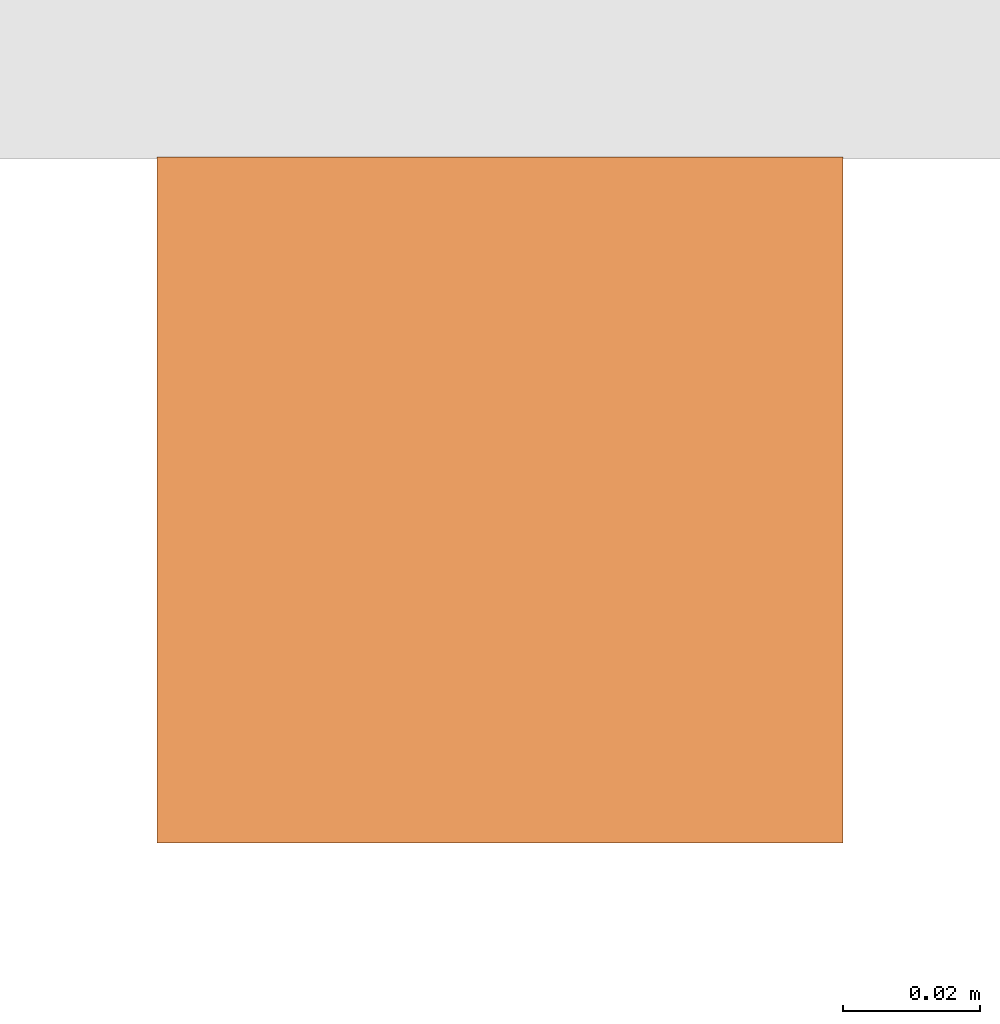
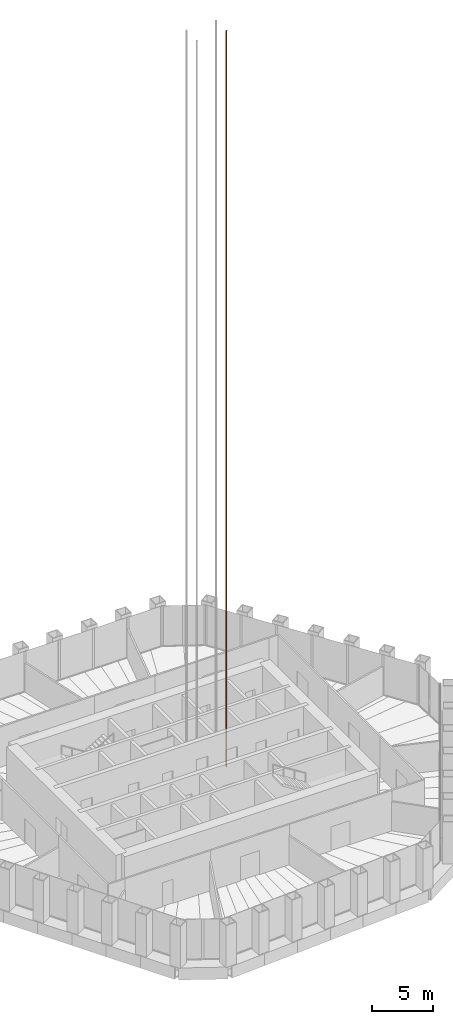
# One storey, part 17 of 19: 1 proxy.
"""IFC4 building model written with IfcOpenShell, lengths in metres."""

from ifc_helpers import new_model, si_unit, direction, frame, origin, origin_2d, place, context, subcontext, project, spatial, rectangle, extrude, material, type_object, element, save


model = new_model("IFC4")

# Units and contexts
model_context = context("Model", 3, precision=1e-05, world=origin(), true_north=direction((0.0, 1.0)))
body_context = subcontext(model_context, "Body", "Model", "MODEL_VIEW")
ifc_project = project(units=[si_unit("LENGTHUNIT", "METRE"), si_unit("AREAUNIT", "SQUARE_METRE"), si_unit("VOLUMEUNIT", "CUBIC_METRE"), si_unit("PLANEANGLEUNIT", "RADIAN"), si_unit("MASSUNIT", "GRAM", prefix="KILO")], contexts=[model_context])

# Site, building, storey
site_placement = place(None, origin())
site = spatial("IfcSite", under=ifc_project, at=site_placement, CompositionType="ELEMENT")
building_placement = place(site_placement, origin())
building = spatial("IfcBuilding", under=site, at=building_placement, Name="Qingtian Harvest Tower", CompositionType="ELEMENT")
storey_placement = place(building_placement, frame((0.0, 0.0, 262.0)))
storey = spatial("IfcBuildingStorey", under=building, at=storey_placement, Name="L57", CompositionType="ELEMENT", Elevation=262.0)

# Proxy
ifc_material = material(Name="Steel SN490B", Category="steel")
building_element_proxy_type = type_object("IfcBuildingElementProxyType", Name="Lift guide rail LR1", PredefinedType="NOTDEFINED", material=ifc_material)
proxy_placement = place(storey_placement, frame((4.699951171875, 2.675048828125, 0.0), z_axis=(0.0, 0.0, 1.0), x_axis=(1.0, 0.0, 0.0)))
element("IfcBuildingElementProxy", 1, at=proxy_placement, inside=storey, type_object=building_element_proxy_type, Name="Lift PLD2 guide rail 1", PredefinedType="NOTDEFINED", context=body_context, shape_type="SweptSolid", body=[
    extrude(rectangle(XDim=0.10009765625, YDim=0.10009765625, at=origin_2d()), origin(), (0.0, 0.0, 1.0), 73.800048828125),
])

save(model, "model.ifc")
